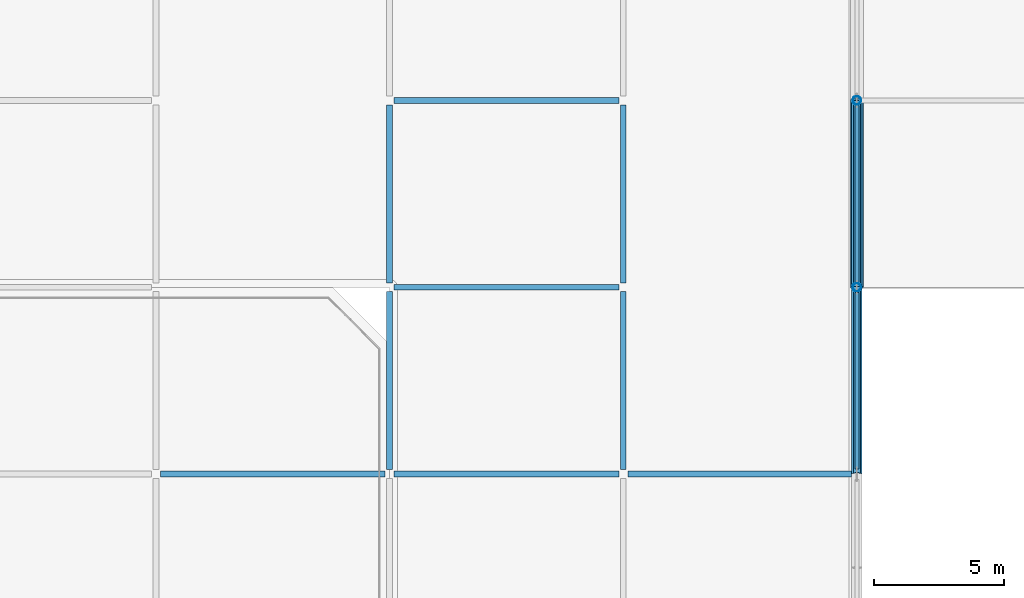
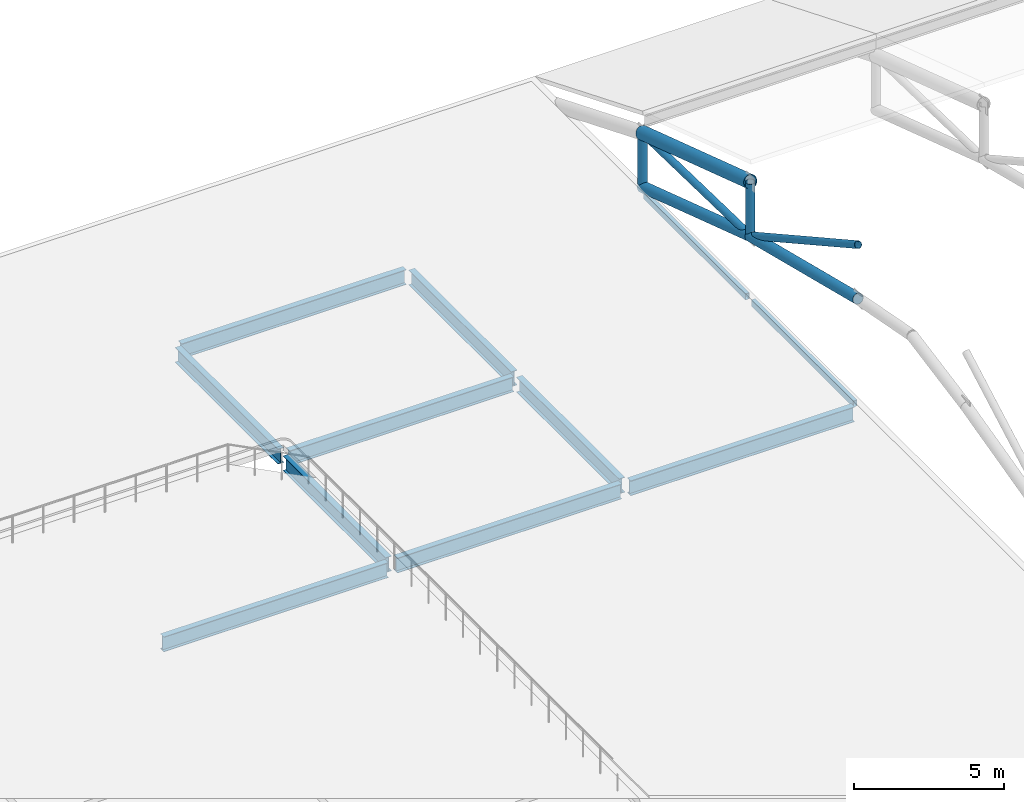
# One storey, part 48 of 78: 11 beams, 7 members.
"""IFC4 building model written with IfcOpenShell, lengths in metres."""

import ifcopenshell
import ifcopenshell.guid

model = None  # the IFC model being written
_history = None  # IfcOwnerHistory: only IFC2X3 demands one
_inside = {}  # id of a spatial element -> (the spatial element, [elements in it])
_under = {}  # id of a project, library or spatial element -> (it, [spatial elements below it])
_declared = {}  # id of a project -> (the project, [libraries it declares])
_typed = {}  # id of a type object -> (the type object, [elements of that type])
_made_of = {}  # id of a material, layer set ... -> (it, [elements and type objects made of it])


def new_model(schema):
    """Start an empty IFC model of exactly this schema.

    Asked for "IFC4X3", IfcOpenShell would pick the latest addendum, in which some entities
    have other attributes; the version numbers below select the first issue.
    IFC2X3 requires an IfcOwnerHistory on every rooted entity: one is made here for all.
    """
    global model, _history
    if schema == "IFC4X3":
        model = ifcopenshell.file(schema_version=(4, 3, 0, 0))
    else:
        model = ifcopenshell.file(schema=schema)
    _inside.clear()
    _under.clear()
    _declared.clear()
    _typed.clear()
    _made_of.clear()
    _history = None
    if model.schema == "IFC2X3":
        org = make("IfcOrganization", Name="unknown")
        user = make(
            "IfcPersonAndOrganization",
            ThePerson=make("IfcPerson", FamilyName="unknown"),
            TheOrganization=org,
        )
        app = make(
            "IfcApplication",
            ApplicationDeveloper=org,
            Version="unknown",
            ApplicationFullName="unknown",
            ApplicationIdentifier="unknown",
        )
        _history = make(
            "IfcOwnerHistory",
            OwningUser=user,
            OwningApplication=app,
            ChangeAction="ADDED",
            CreationDate=0,
        )
    return model


def make(cls, **values):
    """One entity of the class cls with the attributes given. An attribute that is None is left unset."""
    return model.create_entity(
        cls, **{name: value for name, value in values.items() if value is not None}
    )


def rooted(cls, **values):
    """An entity with a GlobalId (a new one), such as an element, a storey or a relation."""
    return make(cls, GlobalId=ifcopenshell.guid.new(), OwnerHistory=_history, **values)


def si_unit(unit_type, name, prefix=None):
    """IfcSIUnit, for example si_unit("LENGTHUNIT", "METRE", prefix="MILLI")."""
    return make("IfcSIUnit", UnitType=unit_type, Prefix=prefix, Name=name)


def assignment(units):
    """IfcUnitAssignment: the units of a project."""
    return None if units is None else make("IfcUnitAssignment", Units=units)


def point(xyz):
    """IfcCartesianPoint."""
    return None if xyz is None else make("IfcCartesianPoint", Coordinates=xyz)


def direction(xyz):
    """IfcDirection."""
    return None if xyz is None else make("IfcDirection", DirectionRatios=xyz)


def frame(location, z_axis=None, x_axis=None):
    """IfcAxis2Placement3D, a coordinate frame: its origin and axes. An axis left out is left unset."""
    return make(
        "IfcAxis2Placement3D",
        Location=point(location),
        Axis=direction(z_axis),
        RefDirection=direction(x_axis),
    )


def frame_2d(location, x_axis=None):
    """IfcAxis2Placement2D, a coordinate frame in the plane: its origin and x axis."""
    return make(
        "IfcAxis2Placement2D", Location=point(location), RefDirection=direction(x_axis)
    )


def origin():
    """The frame at (0, 0, 0) with its axes left unset."""
    return frame((0.0, 0.0, 0.0))


def origin_2d():
    """The frame at (0, 0) in the plane with its x axis left unset."""
    return frame_2d((0.0, 0.0))


def place(relative_to, where):
    """IfcLocalPlacement: puts the frame where relative to a parent placement (None: the world)."""
    return make(
        "IfcLocalPlacement", PlacementRelTo=relative_to, RelativePlacement=where
    )


def context(
    kind, dimensions, precision=None, world=None, true_north=None, identifier=None
):
    """IfcGeometricRepresentationContext, for example the 3D "Model" context."""
    return make(
        "IfcGeometricRepresentationContext",
        ContextIdentifier=identifier,
        ContextType=kind,
        CoordinateSpaceDimension=dimensions,
        Precision=precision,
        WorldCoordinateSystem=world,
        TrueNorth=true_north,
    )


def subcontext(parent, identifier, kind, view, scale=None):
    """IfcGeometricRepresentationSubContext, for example "Body" below "Model"."""
    return make(
        "IfcGeometricRepresentationSubContext",
        ContextIdentifier=identifier,
        ContextType=kind,
        ParentContext=parent,
        TargetScale=scale,
        TargetView=view,
    )


def project(units=None, contexts=None):
    """IfcProject with its units and contexts."""
    return rooted(
        "IfcProject",
        Name="project",
        RepresentationContexts=contexts,
        UnitsInContext=assignment(units),
    )


def spatial(cls, under=None, at=None, **own):
    """A site, building, storey or space (cls), placed at a placement, below another one or the project."""
    s = rooted(cls, ObjectPlacement=at, **own)
    if under is not None:
        _under.setdefault(under.id(), (under, []))[1].append(s)
    return s


def profile(cls, at=None, kind="AREA", **sizes):
    """A parametric profile (cls). Its sizes go by their IFC names, for example OverallWidth=200.0."""
    return make(cls, ProfileType=kind, Position=at, **sizes)


def hollow_rectangle(**sizes):
    """IfcRectangleHollowProfileDef."""
    return profile("IfcRectangleHollowProfileDef", **sizes)


def hollow_circle(**sizes):
    """IfcCircleHollowProfileDef."""
    return profile("IfcCircleHollowProfileDef", **sizes)


def i_section(**sizes):
    """IfcIShapeProfileDef."""
    return profile("IfcIShapeProfileDef", **sizes)


def extrude(swept, where, along, depth):
    """IfcExtrudedAreaSolid: the profile swept, set in the frame where, extruded along a direction by depth."""
    return make(
        "IfcExtrudedAreaSolid",
        SweptArea=swept,
        Position=where,
        ExtrudedDirection=direction(along),
        Depth=depth,
    )


def shape(context_of_items, identifier, shape_type, items):
    """IfcShapeRepresentation: the items that make up one representation, for example the "Body"."""
    return make(
        "IfcShapeRepresentation",
        ContextOfItems=context_of_items,
        RepresentationIdentifier=identifier,
        RepresentationType=shape_type,
        Items=items,
    )


def material(Name=None, Category=None):
    """IfcMaterial."""
    return make("IfcMaterial", Name=Name, Category=Category)


def material_profile(
    of_material, cross_section, Name=None, Category=None, Priority=None
):
    """IfcMaterialProfile: a cross section and its material."""
    return make(
        "IfcMaterialProfile",
        Name=Name,
        Material=of_material,
        Profile=cross_section,
        Priority=Priority,
        Category=Category,
    )


def profile_set(profiles, Name=None, composite=None):
    """IfcMaterialProfileSet."""
    return make(
        "IfcMaterialProfileSet",
        Name=Name,
        MaterialProfiles=profiles,
        CompositeProfile=composite,
    )


def made_of(thing, what):
    """Note that an element or type object is made of a material, layer set ...; save() writes the relation."""
    if what is not None:
        _made_of.setdefault(what.id(), (what, []))[1].append(thing)
    return thing


def type_object(cls, material=None, **own):
    """A type object (cls), such as IfcWallType, which elements share."""
    return made_of(rooted(cls, **own), material)


def element(
    cls,
    number,
    at=None,
    inside=None,
    cuts=None,
    type_object=None,
    material=None,
    context=None,
    identifier="Body",
    shape_type=None,
    held_by="IfcProductDefinitionShape",
    body=None,
    shapes=None,
    **own,
):
    """One element of the class cls, such as IfcWall. Its Tag is "e" and its number.

    at: its placement. inside: the storey or other place that contains it. cuts: it is an
    opening in that element (IfcRelVoidsElement). A single representation is given by context,
    identifier, shape_type and body (its items); several are given by shapes. held_by: the class
    of the entity that holds the representations. save() writes the other relations.
    """
    e = rooted(cls, Tag="e%d" % number, ObjectPlacement=at, **own)
    if body is not None:
        shapes = [shape(context, identifier, shape_type, body)]
    if shapes is not None:
        e.Representation = make(held_by, Representations=shapes)
    if inside is not None:
        _inside.setdefault(inside.id(), (inside, []))[1].append(e)
    if cuts is not None:
        rooted(
            "IfcRelVoidsElement", RelatingBuildingElement=cuts, RelatedOpeningElement=e
        )
    if type_object is not None:
        _typed.setdefault(type_object.id(), (type_object, []))[1].append(e)
    return made_of(e, material)


def aggregate(whole, parts):
    """IfcRelAggregates: a whole, such as a stair, and the parts it consists of."""
    return rooted("IfcRelAggregates", RelatingObject=whole, RelatedObjects=parts)


def save(model, path):
    """Write the relations noted so far, then the file.

    IfcRelAggregates (storeys below a building ...), IfcRelContainedInSpatialStructure (elements
    in a storey), IfcRelDefinesByType, IfcRelAssociatesMaterial and IfcRelDeclares: one each for
    every whole, place, type object, material and project.
    """
    for whole, parts in _under.values():
        aggregate(whole, parts)
    for where, things in _inside.values():
        rooted(
            "IfcRelContainedInSpatialStructure",
            RelatedElements=things,
            RelatingStructure=where,
        )
    for kind, things in _typed.values():
        rooted("IfcRelDefinesByType", RelatedObjects=things, RelatingType=kind)
    for what, things in _made_of.values():
        rooted("IfcRelAssociatesMaterial", RelatedObjects=things, RelatingMaterial=what)
    for by, libraries in _declared.values():
        rooted("IfcRelDeclares", RelatingContext=by, RelatedDefinitions=libraries)
    model.write(path)


model = new_model("IFC4")

# Units and contexts
model_context = context("Model", 3, precision=1e-05, world=origin(), true_north=direction((0.0, 1.0)))
body_context = subcontext(model_context, "Body", "Model", "MODEL_VIEW")
ifc_project = project(units=[si_unit("LENGTHUNIT", "METRE"), si_unit("AREAUNIT", "SQUARE_METRE"), si_unit("VOLUMEUNIT", "CUBIC_METRE"), si_unit("PLANEANGLEUNIT", "RADIAN"), si_unit("MASSUNIT", "GRAM", prefix="KILO")], contexts=[model_context])

# Site, building, storey
site_placement = place(None, origin())
site = spatial("IfcSite", under=ifc_project, at=site_placement, CompositionType="ELEMENT")
building_placement = place(site_placement, origin())
building = spatial("IfcBuilding", under=site, at=building_placement, Name="Celestram Park Convention Centre", CompositionType="ELEMENT")
storey_placement = place(building_placement, frame((0.0, 0.0, 19.800048828125)))
storey = spatial("IfcBuildingStorey", under=building, at=storey_placement, Name="L04", CompositionType="ELEMENT", Elevation=19.800048828125)

# Beams
ifc_material_1 = material(Name="Steel ASTM A992 Grade 50", Category="steel")
ifc_material_profile_1 = material_profile(ifc_material_1, i_section(OverallWidth=0.22900390625, OverallDepth=0.612060546875, WebThickness=0.011962890625, FlangeThickness=0.01953125, at=origin_2d()), Name="W24X84")
ifc_profile_set_1 = profile_set([ifc_material_profile_1], Name="Steel ASTM A992 Grade 50")
beam_type_1 = type_object("IfcBeamType", Name="STR-BM-W24X84", PredefinedType="BEAM", material=ifc_profile_set_1)
for number, where, z_axis, x_axis, name in (
    (1, (126.173095703125, 144.0, -0.60595703125), (1.0, 0.0, 0.0), (0.0, 1.0, 0.0), "Primary X-girder BG-L04-0172"),
    (2, (135.173095703125, 144.0, -0.546142578125), (1.0, 0.0, 0.0), (0.0, 1.0, 0.0), "Primary X-girder BG-L04-0203"),
):
    element("IfcBeam", number, at=place(storey_placement, frame(where, z_axis=z_axis, x_axis=x_axis)), inside=storey, type_object=beam_type_1, Name=name, PredefinedType="BEAM", context=body_context, shape_type="SweptSolid", body=[
        extrude(i_section(OverallWidth=0.22900390625, OverallDepth=0.612060546875, WebThickness=0.011962890625, FlangeThickness=0.01953125, at=origin_2d()), origin(), (0.0, 0.0, 1.0), 8.65380859375),
    ])
beam_1_placement = place(storey_placement, frame((135.0, 144.173095703125, -0.60595703125), z_axis=(0.0, 1.0, 0.0), x_axis=(-1.0, 0.0, 0.0)))
element("IfcBeam", 3, at=beam_1_placement, inside=storey, type_object=beam_type_1, Name="Primary Y-girder BG-L04-0204", PredefinedType="BEAM", context=body_context, shape_type="SweptSolid", body=[
    extrude(i_section(OverallWidth=0.22900390625, OverallDepth=0.612060546875, WebThickness=0.011962890625, FlangeThickness=0.01953125, at=origin_2d()), origin(), (0.0, 0.0, 1.0), 6.85400390625),
])
beam_2_placement = place(storey_placement, frame((135.173095703125, 151.199951171875, -0.546142578125), z_axis=(1.0, 0.0, 0.0), x_axis=(0.0, 1.0, 0.0)))
element("IfcBeam", 4, at=beam_2_placement, inside=storey, type_object=beam_type_1, Name="Primary X-girder BG-L04-0205", PredefinedType="BEAM", context=body_context, shape_type="SweptSolid", body=[
    extrude(i_section(OverallWidth=0.22900390625, OverallDepth=0.612060546875, WebThickness=0.011962890625, FlangeThickness=0.01953125, at=origin_2d()), origin(), (0.0, 0.0, 1.0), 8.65380859375),
])
beam_3_placement = place(storey_placement, frame((135.0, 151.373046875, -0.546142578125), z_axis=(0.0, 1.0, 0.0), x_axis=(-1.0, 0.0, 0.0)))
element("IfcBeam", 5, at=beam_3_placement, inside=storey, type_object=beam_type_1, Name="Primary Y-girder BG-L04-0206", PredefinedType="BEAM", context=body_context, shape_type="SweptSolid", body=[
    extrude(i_section(OverallWidth=0.22900390625, OverallDepth=0.612060546875, WebThickness=0.011962890625, FlangeThickness=0.01953125, at=origin_2d()), origin(), (0.0, 0.0, 1.0), 6.85400390625),
])
beam_4_placement = place(storey_placement, frame((135.173095703125, 158.39990234375, -0.546142578125), z_axis=(1.0, 0.0, 0.0), x_axis=(0.0, 1.0, 0.0)))
element("IfcBeam", 6, at=beam_4_placement, inside=storey, type_object=beam_type_1, Name="Primary X-girder BG-L04-0207", PredefinedType="BEAM", context=body_context, shape_type="SweptSolid", body=[
    extrude(i_section(OverallWidth=0.22900390625, OverallDepth=0.612060546875, WebThickness=0.011962890625, FlangeThickness=0.01953125, at=origin_2d()), origin(), (0.0, 0.0, 1.0), 8.65380859375),
])
beam_5_placement = place(storey_placement, frame((144.173095703125, 144.0, -0.546142578125), z_axis=(1.0, 0.0, 0.0), x_axis=(0.0, 1.0, 0.0)))
element("IfcBeam", 7, at=beam_5_placement, inside=storey, type_object=beam_type_1, Name="Primary X-girder BG-L04-0225", PredefinedType="BEAM", context=body_context, shape_type="SweptSolid", body=[
    extrude(i_section(OverallWidth=0.22900390625, OverallDepth=0.612060546875, WebThickness=0.011962890625, FlangeThickness=0.01953125, at=origin_2d()), origin(), (0.0, 0.0, 1.0), 8.62890625),
])
for number, where, z_axis, x_axis, name in (
    (8, (144.0, 144.173095703125, -0.546142578125), (0.0, 1.0, 0.0), (-1.0, 0.0, 0.0), "Primary Y-girder BG-L04-0226"),
    (9, (144.0, 151.373046875, -0.546142578125), (0.0, 1.0, 0.0), (-1.0, 0.0, 0.0), "Primary Y-girder BG-L04-0227"),
):
    element("IfcBeam", number, at=place(storey_placement, frame(where, z_axis=z_axis, x_axis=x_axis)), inside=storey, type_object=beam_type_1, Name=name, PredefinedType="BEAM", context=body_context, shape_type="SweptSolid", body=[
        extrude(i_section(OverallWidth=0.22900390625, OverallDepth=0.612060546875, WebThickness=0.011962890625, FlangeThickness=0.01953125, at=origin_2d()), origin(), (0.0, 0.0, 1.0), 6.85400390625),
    ])

# Members
ifc_material_2 = material(Name="Steel ASTM A500 Grade C", Category="steel")
ifc_material_profile_2 = material_profile(ifc_material_2, hollow_circle(Radius=0.136474609375, WallThickness=0.010009765625, at=origin_2d()), Name="CHS273X10")
ifc_profile_set_2 = profile_set([ifc_material_profile_2], Name="Steel ASTM A500 Grade C")
member_type_1 = type_object("IfcMemberType", Name="STR-BRC-CHS273", PredefinedType="BRACE", material=ifc_profile_set_2)
member_1_placement = place(storey_placement, frame((153.0, 144.0, 6.2294921875), z_axis=(0.0, 0.874218793516, -0.485532183344), x_axis=(-1.0, 0.0, 0.0)))
element("IfcMember", 10, at=member_1_placement, inside=storey, type_object=member_type_1, Name="V2 arch web diagonal", PredefinedType="BRACE", context=body_context, shape_type="SweptSolid", body=[
    extrude(hollow_circle(Radius=0.136474609375, WallThickness=0.010009765625, at=origin_2d()), origin(), (0.0, 0.0, 1.0), 8.23583984375),
])
member_2_placement = place(storey_placement, frame((153.0, 151.199951171875, 2.230712890625), z_axis=(0.0, 0.999715192935, -0.023864890842), x_axis=(-1.0, 0.0, 0.0)))
element("IfcMember", 11, at=member_2_placement, inside=storey, type_object=member_type_1, Name="V2 arch web diagonal", PredefinedType="BRACE", context=body_context, shape_type="SweptSolid", body=[
    extrude(hollow_circle(Radius=0.136474609375, WallThickness=0.010009765625, at=origin_2d()), origin(), (0.0, 0.0, 1.0), 7.201904296875),
])
ifc_material_profile_3 = material_profile(ifc_material_2, hollow_circle(Radius=0.202880859375, WallThickness=0.013916015625, at=origin_2d()), Name="CHS406X14")
ifc_profile_set_3 = profile_set([ifc_material_profile_3], Name="Steel ASTM A500 Grade C")
member_type_2 = type_object("IfcMemberType", Name="STR-CHD-CHS406", PredefinedType="CHORD", material=ifc_profile_set_3)
member_3_placement = place(storey_placement, frame((153.0, 144.0, 4.029541015625), z_axis=(0.0, 0.970179256757, -0.242388551212), x_axis=(-1.0, 0.0, 0.0)))
element("IfcMember", 12, at=member_3_placement, inside=storey, type_object=member_type_2, Name="V2 arch bottom chord", PredefinedType="CHORD", context=body_context, shape_type="SweptSolid", body=[
    extrude(hollow_circle(Radius=0.202880859375, WallThickness=0.013916015625, at=origin_2d()), origin(), (0.0, 0.0, 1.0), 7.421142578125),
])
member_4_placement = place(storey_placement, frame((153.0, 151.199951171875, 2.230712890625), z_axis=(0.0, 0.949791740943, -0.312882803678), x_axis=(-1.0, 0.0, 0.0)))
element("IfcMember", 13, at=member_4_placement, inside=storey, type_object=member_type_2, Name="V2 arch bottom chord", PredefinedType="CHORD", context=body_context, shape_type="SweptSolid", body=[
    extrude(hollow_circle(Radius=0.202880859375, WallThickness=0.013916015625, at=origin_2d()), origin(), (0.0, 0.0, 1.0), 7.58056640625),
])
ifc_material_profile_4 = material_profile(ifc_material_2, hollow_circle(Radius=0.25390625, WallThickness=0.01611328125, at=origin_2d()), Name="CHS508X16")
ifc_profile_set_4 = profile_set([ifc_material_profile_4], Name="Steel ASTM A500 Grade C")
member_type_3 = type_object("IfcMemberType", Name="STR-CHD-CHS508", PredefinedType="CHORD", material=ifc_profile_set_4)
member_5_placement = place(storey_placement, frame((153.0, 151.199951171875, 4.4306640625), z_axis=(0.0, 0.949791740943, -0.312882803678), x_axis=(-1.0, 0.0, 0.0)))
element("IfcMember", 14, at=member_5_placement, inside=storey, type_object=member_type_3, Name="V2 arch top chord", PredefinedType="CHORD", context=body_context, shape_type="SweptSolid", body=[
    extrude(hollow_circle(Radius=0.25390625, WallThickness=0.01611328125, at=origin_2d()), origin(), (0.0, 0.0, 1.0), 7.58056640625),
])

# Beams
ifc_material_profile_5 = material_profile(ifc_material_2, hollow_rectangle(XDim=0.14990234375, YDim=0.25, WallThickness=0.010009765625, at=origin_2d()), Name="HSS250X150X10")
ifc_profile_set_5 = profile_set([ifc_material_profile_5], Name="Steel ASTM A500 Grade C")
beam_type_2 = type_object("IfcBeamType", Name="STR-SPN-HSS250X150", PredefinedType="SPANDREL", material=ifc_profile_set_5)
for number, where, z_axis, x_axis, name in (
    (15, (153.0, 144.197998046875, -0.364990234375), (0.0, 1.0, 0.0), (-1.0, 0.0, 0.0), "Primary Y-girder BG-L04-0233"),
    (16, (153.0, 151.39794921875, -0.364990234375), (0.0, 1.0, 0.0), (-1.0, 0.0, 0.0), "Primary Y-girder BG-L04-0234"),
):
    element("IfcBeam", number, at=place(storey_placement, frame(where, z_axis=z_axis, x_axis=x_axis)), inside=storey, type_object=beam_type_2, Name=name, PredefinedType="SPANDREL", context=body_context, shape_type="SweptSolid", body=[
        extrude(hollow_rectangle(XDim=0.14990234375, YDim=0.25, WallThickness=0.010009765625, at=origin_2d()), origin(), (0.0, 0.0, 1.0), 6.803955078125),
    ])

# Members
ifc_material_profile_6 = material_profile(ifc_material_2, hollow_circle(Radius=0.162109375, WallThickness=0.011962890625, at=origin_2d()), Name="CHS324X12")
ifc_profile_set_6 = profile_set([ifc_material_profile_6], Name="Steel ASTM A500 Grade C")
member_type_4 = type_object("IfcMemberType", Name="STR-STR-CHS324", PredefinedType="STRUT", material=ifc_profile_set_6)
for number, where, z_axis, x_axis, name in (
    (17, (153.0, 151.199951171875, 2.230712890625), (0.0, 0.0, 1.0), (1.0, 0.0, 0.0), "V2 arch vertical strut"),
    (18, (153.0, 158.39990234375, -0.14111328125), (0.0, 0.0, 1.0), (1.0, 0.0, 0.0), "V2 arch vertical strut"),
):
    element("IfcMember", number, at=place(storey_placement, frame(where, z_axis=z_axis, x_axis=x_axis)), inside=storey, type_object=member_type_4, Name=name, PredefinedType="STRUT", context=body_context, shape_type="SweptSolid", body=[
        extrude(hollow_circle(Radius=0.162109375, WallThickness=0.011962890625, at=origin_2d()), origin(), (0.0, 0.0, 1.0), 2.199951171875),
    ])

save(model, "model.ifc")
